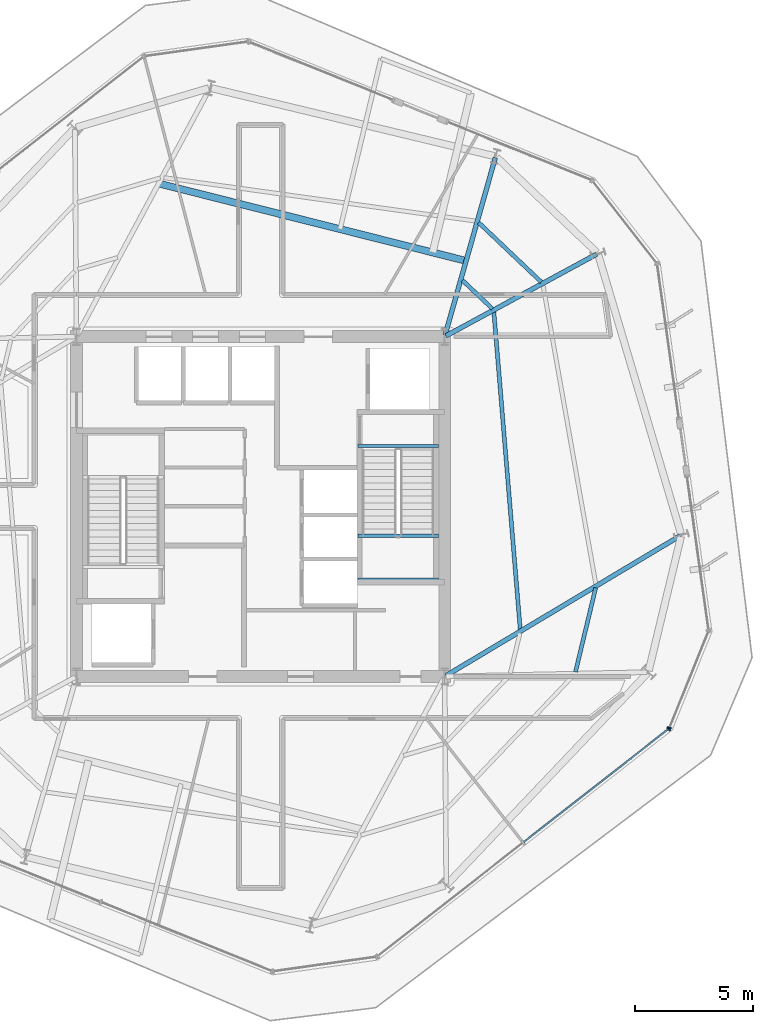
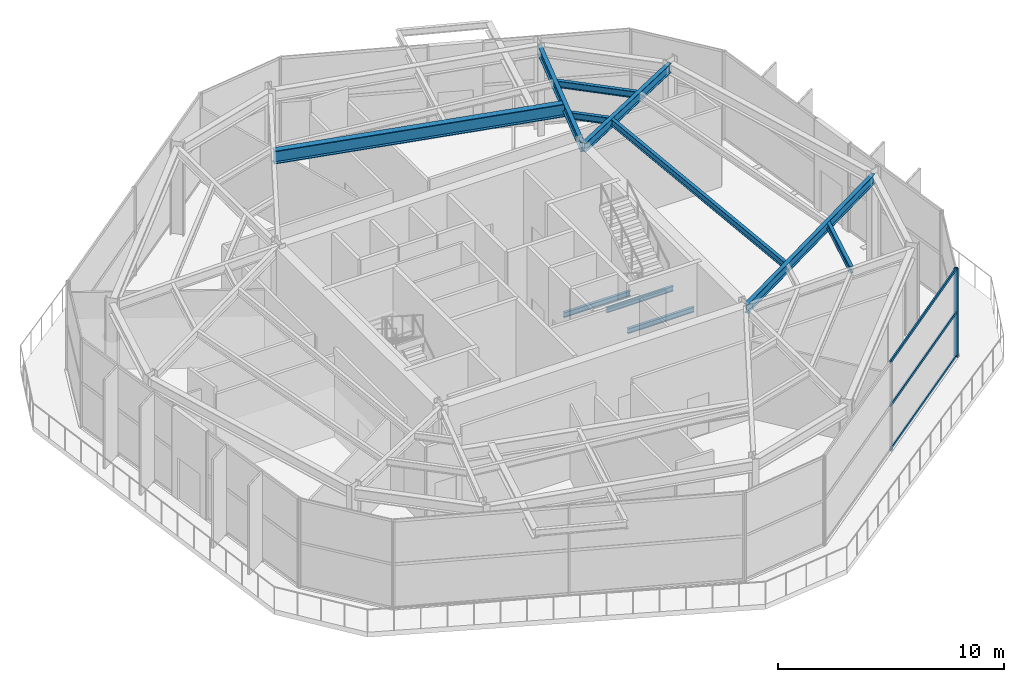
# One storey, part 5 of 14: 11 beams, 5 members, 2 elements without a shape of their own.
"""IFC4 building model written with IfcOpenShell, lengths in metres."""

import ifcopenshell
import ifcopenshell.guid

model = None  # the IFC model being written
_history = None  # IfcOwnerHistory: only IFC2X3 demands one
_inside = {}  # id of a spatial element -> (the spatial element, [elements in it])
_under = {}  # id of a project, library or spatial element -> (it, [spatial elements below it])
_declared = {}  # id of a project -> (the project, [libraries it declares])
_typed = {}  # id of a type object -> (the type object, [elements of that type])
_made_of = {}  # id of a material, layer set ... -> (it, [elements and type objects made of it])


def new_model(schema):
    """Start an empty IFC model of exactly this schema.

    Asked for "IFC4X3", IfcOpenShell would pick the latest addendum, in which some entities
    have other attributes; the version numbers below select the first issue.
    IFC2X3 requires an IfcOwnerHistory on every rooted entity: one is made here for all.
    """
    global model, _history
    if schema == "IFC4X3":
        model = ifcopenshell.file(schema_version=(4, 3, 0, 0))
    else:
        model = ifcopenshell.file(schema=schema)
    _inside.clear()
    _under.clear()
    _declared.clear()
    _typed.clear()
    _made_of.clear()
    _history = None
    if model.schema == "IFC2X3":
        org = make("IfcOrganization", Name="unknown")
        user = make(
            "IfcPersonAndOrganization",
            ThePerson=make("IfcPerson", FamilyName="unknown"),
            TheOrganization=org,
        )
        app = make(
            "IfcApplication",
            ApplicationDeveloper=org,
            Version="unknown",
            ApplicationFullName="unknown",
            ApplicationIdentifier="unknown",
        )
        _history = make(
            "IfcOwnerHistory",
            OwningUser=user,
            OwningApplication=app,
            ChangeAction="ADDED",
            CreationDate=0,
        )
    return model


def make(cls, **values):
    """One entity of the class cls with the attributes given. An attribute that is None is left unset."""
    return model.create_entity(
        cls, **{name: value for name, value in values.items() if value is not None}
    )


def rooted(cls, **values):
    """An entity with a GlobalId (a new one), such as an element, a storey or a relation."""
    return make(cls, GlobalId=ifcopenshell.guid.new(), OwnerHistory=_history, **values)


def si_unit(unit_type, name, prefix=None):
    """IfcSIUnit, for example si_unit("LENGTHUNIT", "METRE", prefix="MILLI")."""
    return make("IfcSIUnit", UnitType=unit_type, Prefix=prefix, Name=name)


def assignment(units):
    """IfcUnitAssignment: the units of a project."""
    return None if units is None else make("IfcUnitAssignment", Units=units)


def point(xyz):
    """IfcCartesianPoint."""
    return None if xyz is None else make("IfcCartesianPoint", Coordinates=xyz)


def direction(xyz):
    """IfcDirection."""
    return None if xyz is None else make("IfcDirection", DirectionRatios=xyz)


def frame(location, z_axis=None, x_axis=None):
    """IfcAxis2Placement3D, a coordinate frame: its origin and axes. An axis left out is left unset."""
    return make(
        "IfcAxis2Placement3D",
        Location=point(location),
        Axis=direction(z_axis),
        RefDirection=direction(x_axis),
    )


def frame_2d(location, x_axis=None):
    """IfcAxis2Placement2D, a coordinate frame in the plane: its origin and x axis."""
    return make(
        "IfcAxis2Placement2D", Location=point(location), RefDirection=direction(x_axis)
    )


def origin():
    """The frame at (0, 0, 0) with its axes left unset."""
    return frame((0.0, 0.0, 0.0))


def origin_2d():
    """The frame at (0, 0) in the plane with its x axis left unset."""
    return frame_2d((0.0, 0.0))


def place(relative_to, where):
    """IfcLocalPlacement: puts the frame where relative to a parent placement (None: the world)."""
    return make(
        "IfcLocalPlacement", PlacementRelTo=relative_to, RelativePlacement=where
    )


def context(
    kind, dimensions, precision=None, world=None, true_north=None, identifier=None
):
    """IfcGeometricRepresentationContext, for example the 3D "Model" context."""
    return make(
        "IfcGeometricRepresentationContext",
        ContextIdentifier=identifier,
        ContextType=kind,
        CoordinateSpaceDimension=dimensions,
        Precision=precision,
        WorldCoordinateSystem=world,
        TrueNorth=true_north,
    )


def subcontext(parent, identifier, kind, view, scale=None):
    """IfcGeometricRepresentationSubContext, for example "Body" below "Model"."""
    return make(
        "IfcGeometricRepresentationSubContext",
        ContextIdentifier=identifier,
        ContextType=kind,
        ParentContext=parent,
        TargetScale=scale,
        TargetView=view,
    )


def project(units=None, contexts=None):
    """IfcProject with its units and contexts."""
    return rooted(
        "IfcProject",
        Name="project",
        RepresentationContexts=contexts,
        UnitsInContext=assignment(units),
    )


def spatial(cls, under=None, at=None, **own):
    """A site, building, storey or space (cls), placed at a placement, below another one or the project."""
    s = rooted(cls, ObjectPlacement=at, **own)
    if under is not None:
        _under.setdefault(under.id(), (under, []))[1].append(s)
    return s


def profile(cls, at=None, kind="AREA", **sizes):
    """A parametric profile (cls). Its sizes go by their IFC names, for example OverallWidth=200.0."""
    return make(cls, ProfileType=kind, Position=at, **sizes)


def rectangle(**sizes):
    """IfcRectangleProfileDef."""
    return profile("IfcRectangleProfileDef", **sizes)


def i_section(**sizes):
    """IfcIShapeProfileDef."""
    return profile("IfcIShapeProfileDef", **sizes)


def extrude(swept, where, along, depth):
    """IfcExtrudedAreaSolid: the profile swept, set in the frame where, extruded along a direction by depth."""
    return make(
        "IfcExtrudedAreaSolid",
        SweptArea=swept,
        Position=where,
        ExtrudedDirection=direction(along),
        Depth=depth,
    )


def shape(context_of_items, identifier, shape_type, items):
    """IfcShapeRepresentation: the items that make up one representation, for example the "Body"."""
    return make(
        "IfcShapeRepresentation",
        ContextOfItems=context_of_items,
        RepresentationIdentifier=identifier,
        RepresentationType=shape_type,
        Items=items,
    )


def material(Name=None, Category=None):
    """IfcMaterial."""
    return make("IfcMaterial", Name=Name, Category=Category)


def layer(
    of_material, thickness, ventilated=None, Name=None, Category=None, Priority=None
):
    """IfcMaterialLayer: one layer of a wall or slab, of a material (None: an air gap)."""
    return make(
        "IfcMaterialLayer",
        Material=of_material,
        LayerThickness=thickness,
        IsVentilated=ventilated,
        Name=Name,
        Category=Category,
        Priority=Priority,
    )


def layer_set(layers, Name=None):
    """IfcMaterialLayerSet."""
    return make("IfcMaterialLayerSet", MaterialLayers=layers, LayerSetName=Name)


def material_profile(
    of_material, cross_section, Name=None, Category=None, Priority=None
):
    """IfcMaterialProfile: a cross section and its material."""
    return make(
        "IfcMaterialProfile",
        Name=Name,
        Material=of_material,
        Profile=cross_section,
        Priority=Priority,
        Category=Category,
    )


def profile_set(profiles, Name=None, composite=None):
    """IfcMaterialProfileSet."""
    return make(
        "IfcMaterialProfileSet",
        Name=Name,
        MaterialProfiles=profiles,
        CompositeProfile=composite,
    )


def made_of(thing, what):
    """Note that an element or type object is made of a material, layer set ...; save() writes the relation."""
    if what is not None:
        _made_of.setdefault(what.id(), (what, []))[1].append(thing)
    return thing


def type_object(cls, material=None, **own):
    """A type object (cls), such as IfcWallType, which elements share."""
    return made_of(rooted(cls, **own), material)


def element(
    cls,
    number,
    at=None,
    inside=None,
    cuts=None,
    type_object=None,
    material=None,
    context=None,
    identifier="Body",
    shape_type=None,
    held_by="IfcProductDefinitionShape",
    body=None,
    shapes=None,
    **own,
):
    """One element of the class cls, such as IfcWall. Its Tag is "e" and its number.

    at: its placement. inside: the storey or other place that contains it. cuts: it is an
    opening in that element (IfcRelVoidsElement). A single representation is given by context,
    identifier, shape_type and body (its items); several are given by shapes. held_by: the class
    of the entity that holds the representations. save() writes the other relations.
    """
    e = rooted(cls, Tag="e%d" % number, ObjectPlacement=at, **own)
    if body is not None:
        shapes = [shape(context, identifier, shape_type, body)]
    if shapes is not None:
        e.Representation = make(held_by, Representations=shapes)
    if inside is not None:
        _inside.setdefault(inside.id(), (inside, []))[1].append(e)
    if cuts is not None:
        rooted(
            "IfcRelVoidsElement", RelatingBuildingElement=cuts, RelatedOpeningElement=e
        )
    if type_object is not None:
        _typed.setdefault(type_object.id(), (type_object, []))[1].append(e)
    return made_of(e, material)


def aggregate(whole, parts):
    """IfcRelAggregates: a whole, such as a stair, and the parts it consists of."""
    return rooted("IfcRelAggregates", RelatingObject=whole, RelatedObjects=parts)


def save(model, path):
    """Write the relations noted so far, then the file.

    IfcRelAggregates (storeys below a building ...), IfcRelContainedInSpatialStructure (elements
    in a storey), IfcRelDefinesByType, IfcRelAssociatesMaterial and IfcRelDeclares: one each for
    every whole, place, type object, material and project.
    """
    for whole, parts in _under.values():
        aggregate(whole, parts)
    for where, things in _inside.values():
        rooted(
            "IfcRelContainedInSpatialStructure",
            RelatedElements=things,
            RelatingStructure=where,
        )
    for kind, things in _typed.values():
        rooted("IfcRelDefinesByType", RelatedObjects=things, RelatingType=kind)
    for what, things in _made_of.values():
        rooted("IfcRelAssociatesMaterial", RelatedObjects=things, RelatingMaterial=what)
    for by, libraries in _declared.values():
        rooted("IfcRelDeclares", RelatingContext=by, RelatedDefinitions=libraries)
    model.write(path)


model = new_model("IFC4")

# Units and contexts
model_context = context("Model", 3, precision=1e-05, world=origin(), true_north=direction((0.0, 1.0)))
body_context = subcontext(model_context, "Body", "Model", "MODEL_VIEW")
ifc_project = project(units=[si_unit("LENGTHUNIT", "METRE"), si_unit("AREAUNIT", "SQUARE_METRE"), si_unit("VOLUMEUNIT", "CUBIC_METRE"), si_unit("PLANEANGLEUNIT", "RADIAN"), si_unit("MASSUNIT", "GRAM", prefix="KILO")], contexts=[model_context])

# Site, building, storey
site_placement = place(None, origin())
site = spatial("IfcSite", under=ifc_project, at=site_placement, CompositionType="ELEMENT")
building_placement = place(site_placement, origin())
building = spatial("IfcBuilding", under=site, at=building_placement, Name="Kranzbogen Civic Tower", CompositionType="ELEMENT")
storey_placement = place(building_placement, frame((0.0, 0.0, 175.800048828125)))
storey = spatial("IfcBuildingStorey", under=building, at=storey_placement, Name="L42", CompositionType="ELEMENT", Elevation=175.800048828125)

# Curtain wall, member
ifc_material_1 = material(Name="Pale Anodised Aluminium", Category="aluminium")
ifc_layer_1 = layer(ifc_material_1, 0.219970703125, Name="Pale Anodised Aluminium")
ifc_layer_set_1 = layer_set([ifc_layer_1], Name="Pale Anodised Aluminium")
curtain_wall_type_1 = type_object("IfcCurtainWallType", Name="Chamfer Facet Stick Curtain Wall System CW-06", PredefinedType="USERDEFINED", material=ifc_layer_set_1)
curtain_wall_1_placement = place(storey_placement, origin())
curtain_wall_1 = element("IfcCurtainWall", 1, at=curtain_wall_1_placement, inside=storey, type_object=curtain_wall_type_1, Name="L42 curtain wall CW-L42-C5", ObjectType="STICK CURTAIN WALL", PredefinedType="USERDEFINED")
ifc_material_profile_1 = material_profile(ifc_material_1, rectangle(XDim=0.06005859375, YDim=0.159912109375, at=origin_2d()), Name="ALU-M 60x160")
ifc_profile_set_1 = profile_set([ifc_material_profile_1], Name="Pale Anodised Aluminium")
member_type_1 = type_object("IfcMemberType", Name="Curtain Wall Mullion ALU-M 60x160", PredefinedType="MULLION", material=ifc_profile_set_1)
member_1_placement = place(storey_placement, frame((42.326171875, 15.622802734375, 0.0), z_axis=(0.0, 0.0, 1.0), x_axis=(0.374707302781, 0.92714315898, 0.0)))
member_1 = element("IfcMember", 2, at=member_1_placement, type_object=member_type_1, Name="CW-06 mullion 1", PredefinedType="MULLION", context=body_context, shape_type="SweptSolid", body=[
    extrude(rectangle(XDim=0.06005859375, YDim=0.159912109375, at=origin_2d()), origin(), (0.0, 0.0, 1.0), 4.780029296875),
])
aggregate(curtain_wall_1, [member_1])

# Curtain wall, members
ifc_layer_2 = layer(ifc_material_1, 0.219970703125, Name="Pale Anodised Aluminium")
ifc_layer_set_2 = layer_set([ifc_layer_2], Name="Pale Anodised Aluminium")
curtain_wall_type_2 = type_object("IfcCurtainWallType", Name="Zone 3 Stick Curtain Wall System CW-04", PredefinedType="USERDEFINED", material=ifc_layer_set_2)
curtain_wall_2_placement = place(storey_placement, origin())
curtain_wall_2 = element("IfcCurtainWall", 3, at=curtain_wall_2_placement, inside=storey, type_object=curtain_wall_type_2, Name="L42 curtain wall CW-L42-F5", ObjectType="STICK CURTAIN WALL", PredefinedType="USERDEFINED")
ifc_material_profile_2 = material_profile(ifc_material_1, rectangle(XDim=0.070068359375, YDim=0.199951171875, at=origin_2d()), Name="ALU-M 70x200")
ifc_profile_set_2 = profile_set([ifc_material_profile_2], Name="Pale Anodised Aluminium")
member_type_2 = type_object("IfcMemberType", Name="Curtain Wall Mullion ALU-M 70x200", PredefinedType="MULLION", material=ifc_profile_set_2)
member_2_placement = place(storey_placement, frame((42.291259765625, 15.576416015625, 0.0), z_axis=(0.0, 0.0, 1.0), x_axis=(0.788034025548, 0.615631687439, 0.0)))
member_2 = element("IfcMember", 4, at=member_2_placement, type_object=member_type_2, Name="CW-04 mullion 3", PredefinedType="MULLION", context=body_context, shape_type="SweptSolid", body=[
    extrude(rectangle(XDim=0.070068359375, YDim=0.199951171875, at=origin_2d()), origin(), (0.0, 0.0, 1.0), 4.780029296875),
])
ifc_material_profile_3 = material_profile(ifc_material_1, rectangle(XDim=0.070068359375, YDim=0.14990234375, at=origin_2d()), Name="ALU-T 70x150")
ifc_profile_set_3 = profile_set([ifc_material_profile_3], Name="Pale Anodised Aluminium")
member_type_3 = type_object("IfcMemberType", Name="Curtain Wall Transom ALU-T 70x150", PredefinedType="USERDEFINED", material=ifc_profile_set_3)
member_3_placement = place(storey_placement, frame((36.149658203125, 10.778564453125, 0.030029296875), z_axis=(0.788041536288, 0.61562207326, 0.0), x_axis=(-0.61562207326, 0.788041536288, 0.0)))
member_3 = element("IfcMember", 5, at=member_3_placement, type_object=member_type_3, Name="CW-04 transom 2.1", ObjectType="TRANSOM", PredefinedType="USERDEFINED", context=body_context, shape_type="SweptSolid", body=[
    extrude(rectangle(XDim=0.070068359375, YDim=0.14990234375, at=origin_2d()), origin(), (0.0, 0.0, 1.0), 7.763671875),
])
member_4_placement = place(storey_placement, frame((36.149658203125, 10.778564453125, 2.39990234375), z_axis=(0.788041536288, 0.61562207326, 0.0), x_axis=(-0.61562207326, 0.788041536288, 0.0)))
member_4 = element("IfcMember", 6, at=member_4_placement, type_object=member_type_3, Name="CW-04 transom 2.2", ObjectType="TRANSOM", PredefinedType="USERDEFINED", context=body_context, shape_type="SweptSolid", body=[
    extrude(rectangle(XDim=0.070068359375, YDim=0.14990234375, at=origin_2d()), origin(), (0.0, 0.0, 1.0), 7.763671875),
])
member_5_placement = place(storey_placement, frame((36.149658203125, 10.778564453125, 4.75), z_axis=(0.788041536288, 0.61562207326, 0.0), x_axis=(-0.61562207326, 0.788041536288, 0.0)))
member_5 = element("IfcMember", 7, at=member_5_placement, type_object=member_type_3, Name="CW-04 transom 2.3", ObjectType="TRANSOM", PredefinedType="USERDEFINED", context=body_context, shape_type="SweptSolid", body=[
    extrude(rectangle(XDim=0.070068359375, YDim=0.14990234375, at=origin_2d()), origin(), (0.0, 0.0, 1.0), 7.763671875),
])
aggregate(curtain_wall_2, [member_2, member_3, member_4, member_5])

# Beams
ifc_material_2 = material(Name="Steel S355", Category="steel")
ifc_material_profile_4 = material_profile(ifc_material_2, i_section(OverallWidth=0.300048828125, OverallDepth=0.699951171875, WebThickness=0.01708984375, FlangeThickness=0.031982421875, at=origin_2d()), Name="HEB 700")
ifc_profile_set_4 = profile_set([ifc_material_profile_4], Name="Steel S355")
beam_type_1 = type_object("IfcBeamType", Name="Perimeter Tube Spandrel Beam HEB 700", PredefinedType="SPANDREL", material=ifc_profile_set_4)
beam_1_placement = place(storey_placement, frame((33.7080078125, 35.408935546875, 4.39990234375), z_axis=(-0.969754167823, 0.244083702834, 0.0), x_axis=(-0.244083702834, -0.969754167823, 0.0)))
element("IfcBeam", 8, at=beam_1_placement, inside=storey, type_object=beam_type_1, Name="L43 balcony back-span header girder L43-TB1", PredefinedType="SPANDREL", context=body_context, shape_type="SweptSolid", body=[
    extrude(i_section(OverallWidth=0.300048828125, OverallDepth=0.699951171875, WebThickness=0.01708984375, FlangeThickness=0.031982421875, at=origin_2d()), origin(), (0.0, 0.0, 1.0), 13.43017578125),
])
ifc_material_profile_5 = material_profile(ifc_material_2, i_section(OverallWidth=0.199951171875, OverallDepth=0.5, WebThickness=0.01025390625, FlangeThickness=0.01611328125, at=origin_2d()), Name="IPE 500")
ifc_profile_set_5 = profile_set([ifc_material_profile_5], Name="Steel S355")
beam_type_2 = type_object("IfcBeamType", Name="Radial Tower Floor Girder IPE 500", PredefinedType="BEAM", material=ifc_profile_set_5)
beam_2_placement = place(storey_placement, frame((42.77587890625, 23.760009765625, 4.530029296875), z_axis=(-0.858458551809, -0.512882944565, 0.0), x_axis=(0.512882944565, -0.858458551809, 0.0)))
element("IfcBeam", 9, at=beam_2_placement, inside=storey, type_object=beam_type_2, Name="L42 radial floor girder 06", PredefinedType="BEAM", context=body_context, shape_type="SweptSolid", body=[
    extrude(i_section(OverallWidth=0.199951171875, OverallDepth=0.5, WebThickness=0.01025390625, FlangeThickness=0.01611328125, at=origin_2d()), origin(), (0.0, 0.0, 1.0), 11.56005859375),
])
beam_3_placement = place(storey_placement, frame((39.239990234375, 35.695068359375, 4.530029296875), z_axis=(-0.878919430102, -0.476970266777, 0.0), x_axis=(0.476970266777, -0.878919430102, 0.0)))
element("IfcBeam", 10, at=beam_3_placement, inside=storey, type_object=beam_type_2, Name="L42 radial floor girder 07", PredefinedType="BEAM", context=body_context, shape_type="SweptSolid", body=[
    extrude(i_section(OverallWidth=0.199951171875, OverallDepth=0.5, WebThickness=0.01025390625, FlangeThickness=0.01611328125, at=origin_2d()), origin(), (0.0, 0.0, 1.0), 7.266845703125),
])
beam_4_placement = place(storey_placement, frame((34.945068359375, 39.777099609375, 4.530029296875), z_axis=(-0.272455078988, -0.962168503919, 0.0), x_axis=(0.962168503919, -0.272455078988, 0.0)))
element("IfcBeam", 11, at=beam_4_placement, inside=storey, type_object=beam_type_2, Name="L42 radial floor girder 08", PredefinedType="BEAM", context=body_context, shape_type="SweptSolid", body=[
    extrude(i_section(OverallWidth=0.199951171875, OverallDepth=0.5, WebThickness=0.01025390625, FlangeThickness=0.01611328125, at=origin_2d()), origin(), (0.0, 0.0, 1.0), 7.814697265625),
])
ifc_material_profile_6 = material_profile(ifc_material_2, i_section(OverallWidth=0.169921875, OverallDepth=0.360107421875, WebThickness=0.008056640625, FlangeThickness=0.0126953125, at=origin_2d()), Name="IPE 360")
ifc_profile_set_6 = profile_set([ifc_material_profile_6], Name="Steel S355")
beam_type_3 = type_object("IfcBeamType", Name="Secondary Composite Floor Joist IPE 360", PredefinedType="JOIST", material=ifc_profile_set_6)
beam_5_placement = place(storey_placement, frame((38.343994140625, 17.99609375, 4.599853515625), z_axis=(0.233534367714, 0.972348548154, 0.0), x_axis=(-0.972348548154, 0.233534367714, 0.0)))
element("IfcBeam", 12, at=beam_5_placement, inside=storey, type_object=beam_type_3, Name="L42 secondary floor joist 1.05", PredefinedType="JOIST", context=body_context, shape_type="SweptSolid", body=[
    extrude(i_section(OverallWidth=0.169921875, OverallDepth=0.360107421875, WebThickness=0.008056640625, FlangeThickness=0.0126953125, at=origin_2d()), origin(), (0.0, 0.0, 1.0), 3.6611328125),
])
beam_6_placement = place(storey_placement, frame((36.001953125, 19.797119140625, 4.599853515625), z_axis=(-0.082825426692, 0.996564071544, 0.0), x_axis=(-0.996564071544, -0.082825426692, 0.0)))
element("IfcBeam", 13, at=beam_6_placement, inside=storey, type_object=beam_type_3, Name="L42 secondary floor joist 2.06", PredefinedType="JOIST", context=body_context, shape_type="SweptSolid", body=[
    extrude(i_section(OverallWidth=0.169921875, OverallDepth=0.360107421875, WebThickness=0.008056640625, FlangeThickness=0.0126953125, at=origin_2d()), origin(), (0.0, 0.0, 1.0), 13.497314453125),
])
beam_7_placement = place(storey_placement, frame((36.89697265625, 34.510009765625, 4.599853515625), z_axis=(-0.725300648604, 0.688432254572, 0.0), x_axis=(-0.688432254572, -0.725300648604, 0.0)))
element("IfcBeam", 14, at=beam_7_placement, inside=storey, type_object=beam_type_3, Name="L42 secondary floor joist 1.07", PredefinedType="JOIST", context=body_context, shape_type="SweptSolid", body=[
    extrude(i_section(OverallWidth=0.169921875, OverallDepth=0.360107421875, WebThickness=0.008056640625, FlangeThickness=0.0126953125, at=origin_2d()), origin(), (0.0, 0.0, 1.0), 3.661865234375),
])
beam_8_placement = place(storey_placement, frame((34.820068359375, 33.383056640625, 4.599853515625), z_axis=(-0.725479767774, 0.688243493649, 0.0), x_axis=(-0.688243493649, -0.725479767774, 0.0)))
element("IfcBeam", 15, at=beam_8_placement, inside=storey, type_object=beam_type_3, Name="L42 secondary floor joist 2.07", PredefinedType="JOIST", context=body_context, shape_type="SweptSolid", body=[
    extrude(i_section(OverallWidth=0.169921875, OverallDepth=0.360107421875, WebThickness=0.008056640625, FlangeThickness=0.0126953125, at=origin_2d()), origin(), (0.0, 0.0, 1.0), 1.75048828125),
])
ifc_material_profile_7 = material_profile(ifc_material_2, i_section(OverallWidth=0.135009765625, OverallDepth=0.27001953125, WebThickness=0.006591796875, FlangeThickness=0.01025390625, at=origin_2d()), Name="IPE 270")
ifc_profile_set_7 = profile_set([ifc_material_profile_7], Name="Steel S355")
beam_type_4 = type_object("IfcBeamType", Name="Stair Landing Support Beam IPE 270", PredefinedType="JOIST", material=ifc_profile_set_7)
for number, where, z_axis, x_axis, name in (
    (16, (29.1201171875, 27.56005859375, -0.39501953125), (1.0, 0.0, 0.0), (0.0, 1.0, 0.0), "L42 ST-T2 stair floor header beam"),
    (17, (29.1201171875, 23.760009765625, 2.1650390625), (1.0, 0.0, 0.0), (0.0, 1.0, 0.0), "L42 ST-T2 landing support beam 1.1"),
    (18, (29.1201171875, 21.89990234375, 2.1650390625), (1.0, 0.0, 0.0), (0.0, 1.0, 0.0), "L42 ST-T2 landing support beam 1.2"),
):
    element("IfcBeam", number, at=place(storey_placement, frame(where, z_axis=z_axis, x_axis=x_axis)), inside=storey, type_object=beam_type_4, Name=name, PredefinedType="JOIST", context=body_context, shape_type="SweptSolid", body=[
        extrude(i_section(OverallWidth=0.135009765625, OverallDepth=0.27001953125, WebThickness=0.006591796875, FlangeThickness=0.01025390625, at=origin_2d()), origin(), (0.0, 0.0, 1.0), 3.409912109375),
    ])

save(model, "model.ifc")
